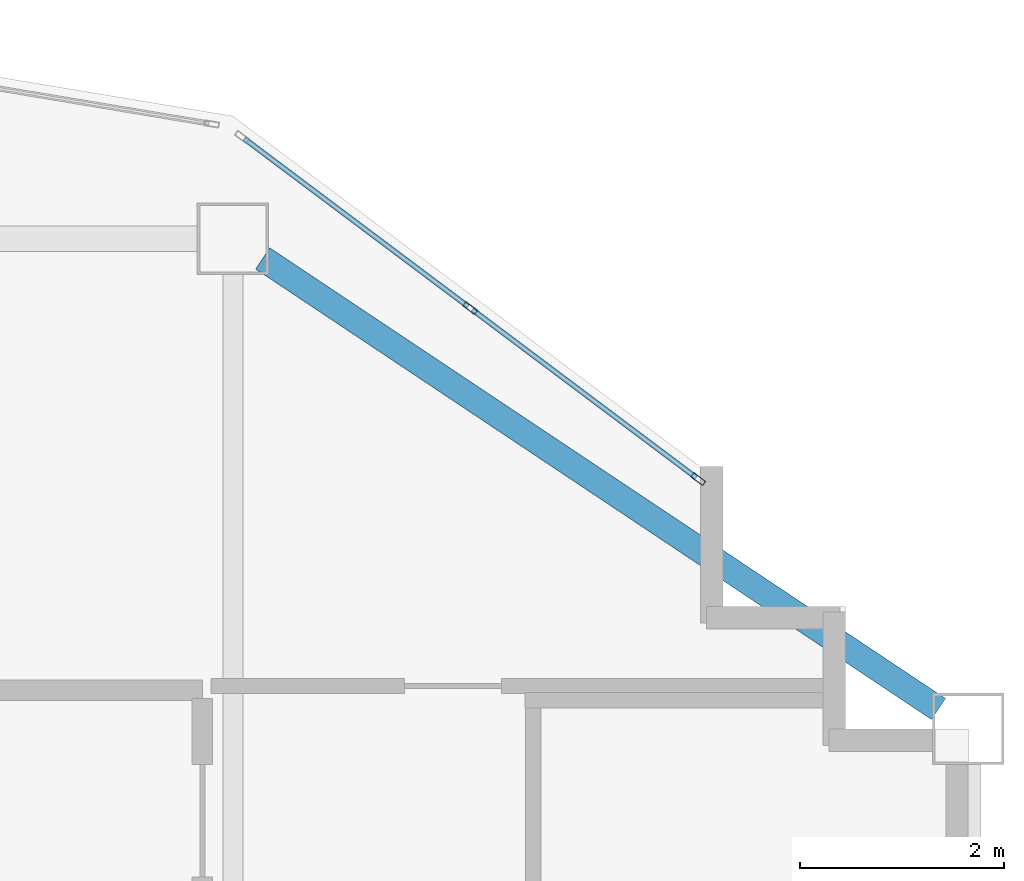
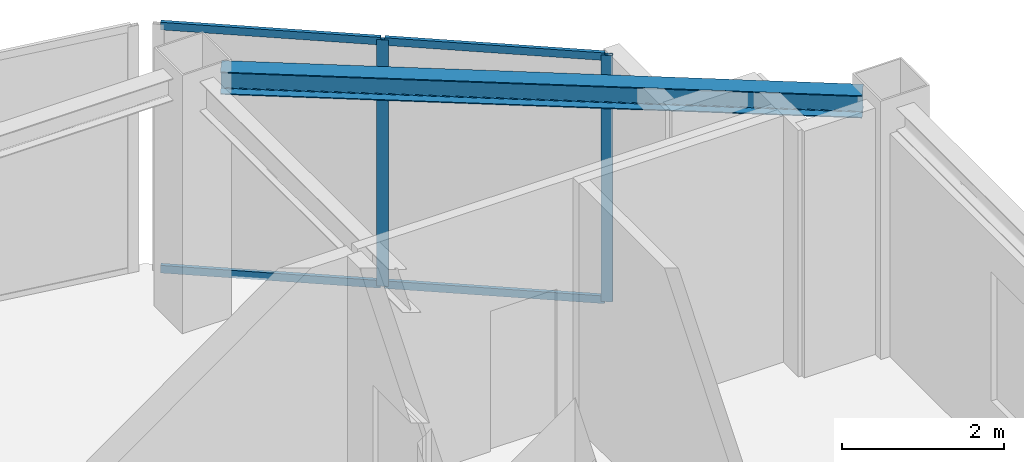
# One storey, part 2 of 8: 6 members, 1 beam, 1 element without a shape of its own.
"""IFC4 building model written with IfcOpenShell, lengths in metres."""

from ifc_helpers import new_model, si_unit, direction, frame, origin, origin_2d, place, context, subcontext, project, spatial, hollow_rectangle, i_section, extrude, material, layer, layer_set, material_profile, profile_set, type_object, element, aggregate, save


model = new_model("IFC4")

# Units and contexts
model_context = context("Model", 3, precision=1e-05, world=origin(), true_north=direction((0.0, 1.0)))
body_context = subcontext(model_context, "Body", "Model", "MODEL_VIEW")
ifc_project = project(units=[si_unit("LENGTHUNIT", "METRE"), si_unit("AREAUNIT", "SQUARE_METRE"), si_unit("VOLUMEUNIT", "CUBIC_METRE"), si_unit("PLANEANGLEUNIT", "RADIAN"), si_unit("MASSUNIT", "GRAM", prefix="KILO")], contexts=[model_context])

# Site, building, storey
site_placement = place(None, origin())
site = spatial("IfcSite", under=ifc_project, at=site_placement, CompositionType="ELEMENT")
building_placement = place(site_placement, origin())
building = spatial("IfcBuilding", under=site, at=building_placement, Name="Haolan Belvedere Tower", CompositionType="ELEMENT")
storey_placement = place(building_placement, frame((0.0, 0.0, 305.60009765625)))
storey = spatial("IfcBuildingStorey", under=building, at=storey_placement, Name="L77", CompositionType="ELEMENT", Elevation=305.60009765625)

# Beam
ifc_material_1 = material(Name="Steel Q355B", Category="steel")
ifc_material_profile_1 = material_profile(ifc_material_1, i_section(OverallWidth=0.25, OverallDepth=0.340087890625, WebThickness=0.009033203125, FlangeThickness=0.013916015625, FilletRadius=0.02001953125, at=origin_2d()), Name="Steel Q355B")
ifc_profile_set_1 = profile_set([ifc_material_profile_1], Name="Steel Q355B")
beam_type = type_object("IfcBeamType", Name="BM-HM340x250x9x14", PredefinedType="SPANDREL", material=ifc_profile_set_1)
beam_placement = place(storey_placement, frame((45.89111328125, 50.205810546875, 3.5498046875), z_axis=(0.832059739299, -0.554686028522, 0.0), x_axis=(0.554686028522, 0.832059739299, 0.0)))
element("IfcBeam", 1, at=beam_placement, inside=storey, type_object=beam_type, Name="L77 spandrel girder MC-T3-N2-MC-T3-NE", PredefinedType="SPANDREL", context=body_context, shape_type="SweptSolid", body=[
    extrude(i_section(OverallWidth=0.25, OverallDepth=0.340087890625, WebThickness=0.009033203125, FlangeThickness=0.013916015625, FilletRadius=0.02001953125, at=origin_2d()), origin(), (0.0, 0.0, 1.0), 7.953369140625),
])

# Curtain wall, members
ifc_material_2 = material(Name="Anodised champagne-silver aluminium 6063-T6 and Low-E glass", Category="aluminium")
ifc_layer = layer(ifc_material_2, 0.14501953125, Name="Anodised champagne-silver aluminium 6063-T6 and Low-E glass")
ifc_layer_set = layer_set([ifc_layer], Name="Anodised champagne-silver aluminium 6063-T6 and Low-E glass")
curtain_wall_type = type_object("IfcCurtainWallType", Name="CW-SYS-05", PredefinedType="NOTDEFINED", material=ifc_layer_set)
curtain_wall_placement = place(storey_placement, origin())
curtain_wall = element("IfcCurtainWall", 2, at=curtain_wall_placement, inside=storey, type_object=curtain_wall_type, Name="L77 CW-SYS-05 ribbon curtain wall 8.1", PredefinedType="NOTDEFINED")
ifc_material_3 = material(Name="Anodised aluminium 6063-T6", Category="aluminium")
ifc_material_profile_2 = material_profile(ifc_material_3, hollow_rectangle(XDim=0.053955078125, YDim=0.14501953125, WallThickness=0.00390625, at=origin_2d()), Name="Anodised aluminium 6063-T6")
ifc_profile_set_2 = profile_set([ifc_material_profile_2], Name="Anodised aluminium 6063-T6")
member_type_1 = type_object("IfcMemberType", Name="CW-SYS-05-MUL", PredefinedType="MULLION", material=ifc_profile_set_2)
member_1_placement = place(storey_placement, frame((50.156494140625, 48.045166015625, 0.0), z_axis=(0.0, 0.0, 1.0), x_axis=(-0.600002837806, -0.799997871638, 0.0)))
member_1 = element("IfcMember", 3, at=member_1_placement, type_object=member_type_1, Name="CW-05 mullion 1", PredefinedType="MULLION", context=body_context, shape_type="SweptSolid", body=[
    extrude(hollow_rectangle(XDim=0.053955078125, YDim=0.14501953125, WallThickness=0.00390625, at=origin_2d()), origin(), (0.0, 0.0, 1.0), 3.719970703125),
])
member_2_placement = place(storey_placement, frame((47.9228515625, 49.720458984375, 0.0), z_axis=(0.0, 0.0, 1.0), x_axis=(-0.600002837806, -0.799997871638, 0.0)))
member_2 = element("IfcMember", 4, at=member_2_placement, type_object=member_type_1, Name="CW-05 mullion 2", PredefinedType="MULLION", context=body_context, shape_type="SweptSolid", body=[
    extrude(hollow_rectangle(XDim=0.053955078125, YDim=0.14501953125, WallThickness=0.00390625, at=origin_2d()), origin(), (0.0, 0.0, 1.0), 3.719970703125),
])
ifc_material_profile_3 = material_profile(ifc_material_3, hollow_rectangle(XDim=0.050048828125, YDim=0.114990234375, WallThickness=0.00390625, at=origin_2d()), Name="Anodised aluminium 6063-T6")
ifc_profile_set_3 = profile_set([ifc_material_profile_3], Name="Anodised aluminium 6063-T6")
member_type_2 = type_object("IfcMemberType", Name="CW-SYS-05-TRN", PredefinedType="USERDEFINED", material=ifc_profile_set_3)
member_3_placement = place(storey_placement, frame((50.134765625, 48.061279296875, 0.02490234375), z_axis=(-0.799957200433, 0.60005706185, 0.0), x_axis=(-0.60005706185, -0.799957200433, 0.0)))
member_3 = element("IfcMember", 5, at=member_3_placement, type_object=member_type_2, Name="CW-05 transom 1.1", ObjectType="TRANSOM", PredefinedType="USERDEFINED", context=body_context, shape_type="SweptSolid", body=[
    extrude(hollow_rectangle(XDim=0.050048828125, YDim=0.114990234375, WallThickness=0.00390625, at=origin_2d()), origin(), (0.0, 0.0, 1.0), 2.73828125),
])
member_4_placement = place(storey_placement, frame((50.134765625, 48.061279296875, 3.69482421875), z_axis=(-0.799957200433, 0.60005706185, 0.0), x_axis=(-0.60005706185, -0.799957200433, 0.0)))
member_4 = element("IfcMember", 6, at=member_4_placement, type_object=member_type_2, Name="CW-05 transom 1.2", ObjectType="TRANSOM", PredefinedType="USERDEFINED", context=body_context, shape_type="SweptSolid", body=[
    extrude(hollow_rectangle(XDim=0.050048828125, YDim=0.114990234375, WallThickness=0.00390625, at=origin_2d()), origin(), (0.0, 0.0, 1.0), 2.73828125),
])
member_5_placement = place(storey_placement, frame((47.901123046875, 49.736572265625, 0.02490234375), z_axis=(-0.8, 0.6, 0.0), x_axis=(-0.6, -0.8, 0.0)))
member_5 = element("IfcMember", 7, at=member_5_placement, type_object=member_type_2, Name="CW-05 transom 2.1", ObjectType="TRANSOM", PredefinedType="USERDEFINED", context=body_context, shape_type="SweptSolid", body=[
    extrude(hollow_rectangle(XDim=0.050048828125, YDim=0.114990234375, WallThickness=0.00390625, at=origin_2d()), origin(), (0.0, 0.0, 1.0), 2.738037109375),
])
member_6_placement = place(storey_placement, frame((47.901123046875, 49.736572265625, 3.69482421875), z_axis=(-0.8, 0.6, 0.0), x_axis=(-0.6, -0.8, 0.0)))
member_6 = element("IfcMember", 8, at=member_6_placement, type_object=member_type_2, Name="CW-05 transom 2.2", ObjectType="TRANSOM", PredefinedType="USERDEFINED", context=body_context, shape_type="SweptSolid", body=[
    extrude(hollow_rectangle(XDim=0.050048828125, YDim=0.114990234375, WallThickness=0.00390625, at=origin_2d()), origin(), (0.0, 0.0, 1.0), 2.738037109375),
])
aggregate(curtain_wall, [member_1, member_2, member_3, member_4, member_5, member_6])

save(model, "model.ifc")
